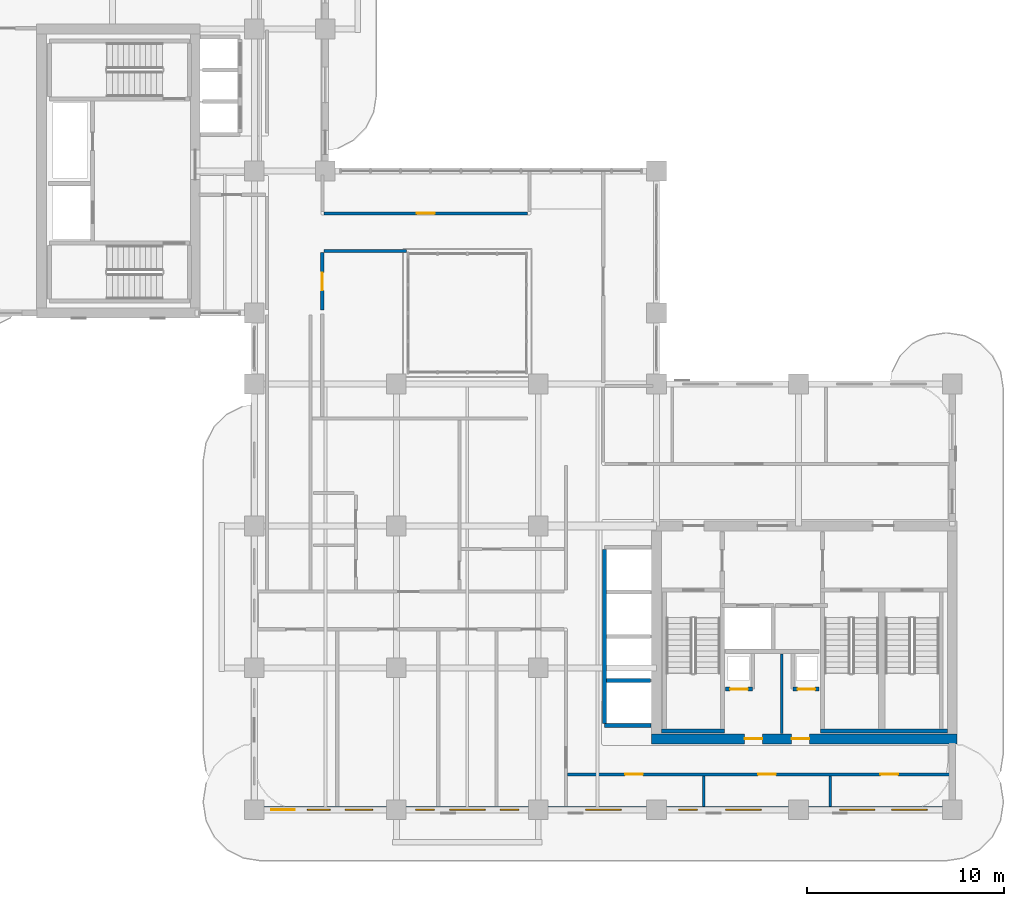
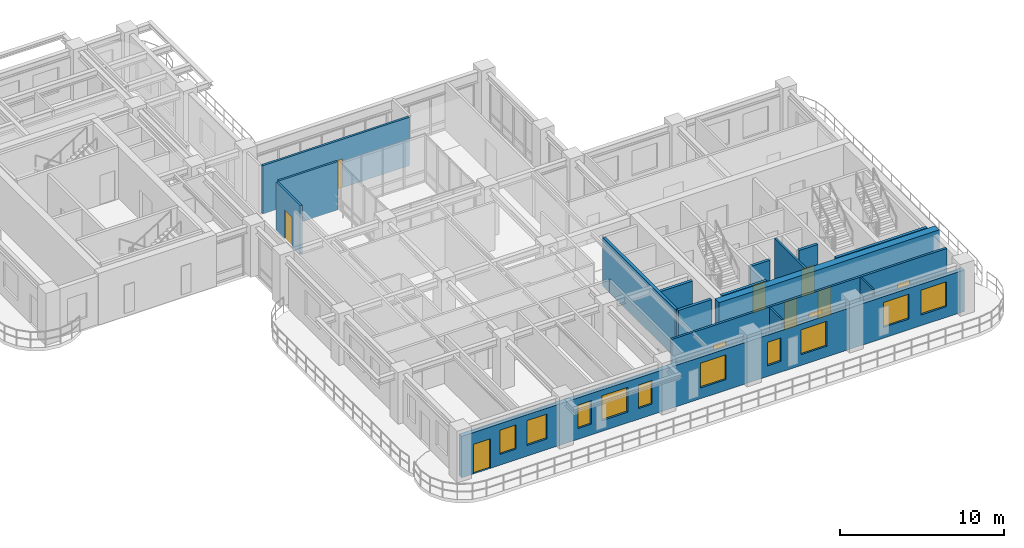
# One storey, part 12 of 20: 16 walls, 10 doors, 10 windows, 20 openings.
"""IFC4 building model written with IfcOpenShell, lengths in metres."""

from ifc_helpers import new_model, si_unit, derived_unit, direction, frame, frame_2d, origin, place, context, subcontext, project, spatial, rectangle, extrude, source, transform, mapped, material, layer, layer_set, type_object, type_shapes, element, fill, save


model = new_model("IFC4")

# Units and contexts
model_context = context("Model", 3, precision=1e-05, world=origin(), true_north=direction((0.0, 1.0)))
body_context = subcontext(model_context, "Body", "Model", "MODEL_VIEW")
ifc_project = project(units=[si_unit("LENGTHUNIT", "METRE"), si_unit("AREAUNIT", "SQUARE_METRE"), si_unit("VOLUMEUNIT", "CUBIC_METRE"), si_unit("PLANEANGLEUNIT", "RADIAN"), si_unit("MASSUNIT", "GRAM", prefix="KILO"), si_unit("THERMODYNAMICTEMPERATUREUNIT", "KELVIN"), si_unit("POWERUNIT", "WATT"), derived_unit("THERMALTRANSMITTANCEUNIT", [(si_unit("POWERUNIT", "WATT"), 1), (si_unit("AREAUNIT", "SQUARE_METRE"), -1), (si_unit("THERMODYNAMICTEMPERATUREUNIT", "KELVIN"), -1)])], contexts=[model_context])

# Site, building, storey
site_placement = place(None, origin())
site = spatial("IfcSite", under=ifc_project, at=site_placement, CompositionType="ELEMENT")
building_placement = place(site_placement, origin())
building = spatial("IfcBuilding", under=site, at=building_placement, Name="Zahravan Archway Hotel and Residences", CompositionType="ELEMENT")
storey_placement = place(building_placement, frame((0.0, 0.0, 161.85009765625)))
storey = spatial("IfcBuildingStorey", under=building, at=storey_placement, Name="L40", CompositionType="ELEMENT", Elevation=161.85009765625)

# Wall, openings, doors
ifc_material_1 = material(Name="Concrete C60/75", Category="concrete")
ifc_layer_1 = layer(ifc_material_1, 0.5, Name="Concrete C60/75", Category="concrete")
ifc_layer_set_1 = layer_set([ifc_layer_1], Name="Concrete C60/75")
wall_type_1 = type_object("IfcWallType", Name="CW-CORE-500", PredefinedType="SHEAR", material=ifc_layer_set_1)
wall_1_placement = place(storey_placement, frame((34.550048828125, 3.60009765625, 0.0), z_axis=(0.0, 0.0, 1.0), x_axis=(1.0, 0.0, 0.0)))
wall_1 = element("IfcWall", 1, at=wall_1_placement, inside=storey, type_object=wall_type_1, Name="L40 Core A Shear S Wall 500 mm", PredefinedType="SHEAR", context=body_context, shape_type="SweptSolid", body=[
    extrude(rectangle(XDim=15.5, YDim=0.5, at=frame_2d((7.75, 0.0))), origin(), (0.0, 0.0, 1.0), 3.849853515625),
])
opening_1_placement = place(wall_1_placement, frame((4.719970703125, 0.0, 0.0)))
opening_1 = element("IfcOpeningElement", 2, at=opening_1_placement, cuts=wall_1, Name="Opening FD-R1", PredefinedType="OPENING", context=body_context, shape_type="SweptSolid", body=[
    extrude(rectangle(XDim=0.89990234375, YDim=2.10009765625, at=frame_2d((0.449951171875, 1.050048828125))), frame((0.0, 0.260009765625, 0.0), z_axis=(0.0, -1.0, 0.0), x_axis=(1.0, 0.0, 0.0)), (0.0, 0.0, 1.0), 0.52001953125),
])
opening_2_placement = place(wall_1_placement, frame((7.10009765625, 0.0, 0.0)))
opening_2 = element("IfcOpeningElement", 3, at=opening_2_placement, cuts=wall_1, Name="Opening FD-R1", PredefinedType="OPENING", context=body_context, shape_type="SweptSolid", body=[
    extrude(rectangle(XDim=0.89990234375, YDim=2.10009765625, at=frame_2d((0.449951171875, 1.050048828125))), frame((0.0, 0.260009765625, 0.0), z_axis=(0.0, -1.0, 0.0), x_axis=(1.0, 0.0, 0.0)), (0.0, 0.0, 1.0), 0.52001953125),
])
ifc_material_2 = material(Name="Fire-Rated Painted Steel", Category="steel")
door_type_1 = type_object("IfcDoorType", Name="FD-RISER-900", OperationType="NOTDEFINED", PredefinedType="DOOR", material=ifc_material_2)
shared_shape_1 = source(origin(), body_context, "Body", "SweptSolid", [
    extrude(rectangle(XDim=0.89990234375, YDim=2.10009765625, at=frame_2d((0.449951171875, 1.050048828125))), frame((0.0, 0.02490234375, 0.0), z_axis=(0.0, -1.0, 0.0), x_axis=(1.0, 0.0, 0.0)), (0.0, 0.0, 1.0), 0.050048828125),
])
type_shapes(door_type_1, [shared_shape_1])
door_1_placement = place(opening_1_placement, origin())
door_1 = element("IfcDoor", 4, at=door_1_placement, inside=storey, type_object=door_type_1, Name="L40 Fan Room Door", OperationType="SINGLE_SWING_LEFT", OverallHeight=2.10009765625, OverallWidth=0.89990234375, PredefinedType="DOOR", context=body_context, shape_type="MappedRepresentation", body=[
    mapped(shared_shape_1, transform((0.0, 0.0, 0.0), scale=1.0)),
])
fill(opening_1, door_1)
door_2_placement = place(opening_2_placement, origin())
door_2 = element("IfcDoor", 5, at=door_2_placement, inside=storey, type_object=door_type_1, Name="L40 Sub-Meter Cupboard Door", OperationType="SINGLE_SWING_RIGHT", OverallHeight=2.10009765625, OverallWidth=0.89990234375, PredefinedType="DOOR", context=body_context, shape_type="MappedRepresentation", body=[
    mapped(shared_shape_1, transform((0.0, 0.0, 0.0), scale=1.0)),
])
fill(opening_2, door_2)

# Wall, openings, door, windows
ifc_material_3 = material(Name="Agra Buff Sandstone & Insulated Backup", Category="masonry")
ifc_layer_2 = layer(ifc_material_3, 0.320068359375, Name="Agra Buff Sandstone & Insulated Backup", Category="masonry")
ifc_layer_set_2 = layer_set([ifc_layer_2], Name="Agra Buff Sandstone & Insulated Backup")
wall_type_2 = type_object("IfcWallType", Name="EW-SAND-320", PredefinedType="SOLIDWALL", material=ifc_layer_set_2)
wall_2_placement = place(storey_placement, frame((14.39990234375, 0.0, 0.0), z_axis=(0.0, 0.0, 1.0), x_axis=(1.0, 0.0, 0.0)))
wall_2 = element("IfcWall", 6, at=wall_2_placement, inside=storey, type_object=wall_type_2, Name="L40 Exterior Sandstone Wall WA-S", PredefinedType="SOLIDWALL", context=body_context, shape_type="SweptSolid", body=[
    extrude(rectangle(XDim=35.400146484375, YDim=0.320068359375, at=frame_2d((17.7001953125, 0.0))), origin(), (0.0, 0.0, 1.0), 3.0849609375),
])
opening_3_placement = place(wall_2_placement, frame((0.85009765625, 0.0, 0.0)))
opening_3 = element("IfcOpeningElement", 7, at=opening_3_placement, cuts=wall_2, Name="Opening ED-BL1", PredefinedType="OPENING", context=body_context, shape_type="SweptSolid", body=[
    extrude(rectangle(XDim=1.199951171875, YDim=2.199951171875, at=frame_2d((0.60009765625, 1.10009765625))), frame((0.0, 0.169921875, 0.0), z_axis=(0.0, -1.0, 0.0), x_axis=(1.0, 0.0, 0.0)), (0.0, 0.0, 1.0), 0.340087890625),
])
opening_4_placement = place(wall_2_placement, frame((2.696044921875, 0.0, 0.800048828125)))
opening_4 = element("IfcOpeningElement", 8, at=opening_4_placement, cuts=wall_2, Name="Opening W-05", PredefinedType="OPENING", context=body_context, shape_type="SweptSolid", body=[
    extrude(rectangle(XDim=1.14990234375, YDim=1.800048828125, at=frame_2d((0.574951171875, 0.89990234375))), frame((0.0, 0.169921875, 0.0), z_axis=(0.0, -1.0, 0.0), x_axis=(1.0, 0.0, 0.0)), (0.0, 0.0, 1.0), 0.340087890625),
])
opening_5_placement = place(wall_2_placement, frame((4.60400390625, 0.0, 0.800048828125)))
opening_5 = element("IfcOpeningElement", 9, at=opening_5_placement, cuts=wall_2, Name="Opening W-03", PredefinedType="OPENING", context=body_context, shape_type="SweptSolid", body=[
    extrude(rectangle(XDim=1.39990234375, YDim=1.85009765625, at=frame_2d((0.699951171875, 0.925048828125))), frame((0.0, 0.169921875, 0.0), z_axis=(0.0, -1.0, 0.0), x_axis=(1.0, 0.0, 0.0)), (0.0, 0.0, 1.0), 0.340087890625),
])
opening_6_placement = place(wall_2_placement, frame((8.180908203125, 0.0, 0.800048828125)))
opening_6 = element("IfcOpeningElement", 10, at=opening_6_placement, cuts=wall_2, Name="Opening W-04", PredefinedType="OPENING", context=body_context, shape_type="SweptSolid", body=[
    extrude(rectangle(XDim=0.949951171875, YDim=1.75, at=frame_2d((0.47509765625, 0.875))), frame((0.0, 0.169921875, 0.0), z_axis=(0.0, -1.0, 0.0), x_axis=(1.0, 0.0, 0.0)), (0.0, 0.0, 1.0), 0.340087890625),
])
opening_7_placement = place(wall_2_placement, frame((9.89990234375, 0.0, 0.800048828125)))
opening_7 = element("IfcOpeningElement", 11, at=opening_7_placement, cuts=wall_2, Name="Opening W-02", PredefinedType="OPENING", context=body_context, shape_type="SweptSolid", body=[
    extrude(rectangle(XDim=1.800048828125, YDim=1.85009765625, at=frame_2d((0.89990234375, 0.925048828125))), frame((0.0, 0.169921875, 0.0), z_axis=(0.0, -1.0, 0.0), x_axis=(1.0, 0.0, 0.0)), (0.0, 0.0, 1.0), 0.340087890625),
])
opening_8_placement = place(wall_2_placement, frame((12.468994140625, 0.0, 0.800048828125)))
opening_8 = element("IfcOpeningElement", 12, at=opening_8_placement, cuts=wall_2, Name="Opening W-04", PredefinedType="OPENING", context=body_context, shape_type="SweptSolid", body=[
    extrude(rectangle(XDim=0.949951171875, YDim=1.75, at=frame_2d((0.47509765625, 0.875))), frame((0.0, 0.169921875, 0.0), z_axis=(0.0, -1.0, 0.0), x_axis=(1.0, 0.0, 0.0)), (0.0, 0.0, 1.0), 0.340087890625),
])
opening_9_placement = place(wall_2_placement, frame((16.803955078125, 0.0, 0.800048828125)))
opening_9 = element("IfcOpeningElement", 13, at=opening_9_placement, cuts=wall_2, Name="Opening W-02", PredefinedType="OPENING", context=body_context, shape_type="SweptSolid", body=[
    extrude(rectangle(XDim=1.800048828125, YDim=1.85009765625, at=frame_2d((0.89990234375, 0.925048828125))), frame((0.0, 0.169921875, 0.0), z_axis=(0.0, -1.0, 0.0), x_axis=(1.0, 0.0, 0.0)), (0.0, 0.0, 1.0), 0.340087890625),
])
opening_10_placement = place(wall_2_placement, frame((21.52099609375, 0.0, 0.800048828125)))
opening_10 = element("IfcOpeningElement", 14, at=opening_10_placement, cuts=wall_2, Name="Opening W-04", PredefinedType="OPENING", context=body_context, shape_type="SweptSolid", body=[
    extrude(rectangle(XDim=0.949951171875, YDim=1.75, at=frame_2d((0.47509765625, 0.875))), frame((0.0, 0.169921875, 0.0), z_axis=(0.0, -1.0, 0.0), x_axis=(1.0, 0.0, 0.0)), (0.0, 0.0, 1.0), 0.340087890625),
])
opening_11_placement = place(wall_2_placement, frame((23.904052734375, 0.0, 0.800048828125)))
opening_11 = element("IfcOpeningElement", 15, at=opening_11_placement, cuts=wall_2, Name="Opening W-02", PredefinedType="OPENING", context=body_context, shape_type="SweptSolid", body=[
    extrude(rectangle(XDim=1.800048828125, YDim=1.85009765625, at=frame_2d((0.89990234375, 0.925048828125))), frame((0.0, 0.169921875, 0.0), z_axis=(0.0, -1.0, 0.0), x_axis=(1.0, 0.0, 0.0)), (0.0, 0.0, 1.0), 0.340087890625),
])
opening_12_placement = place(wall_2_placement, frame((29.680908203125, 0.0, 0.800048828125)))
opening_12 = element("IfcOpeningElement", 16, at=opening_12_placement, cuts=wall_2, Name="Opening W-02", PredefinedType="OPENING", context=body_context, shape_type="SweptSolid", body=[
    extrude(rectangle(XDim=1.800048828125, YDim=1.85009765625, at=frame_2d((0.89990234375, 0.925048828125))), frame((0.0, 0.169921875, 0.0), z_axis=(0.0, -1.0, 0.0), x_axis=(1.0, 0.0, 0.0)), (0.0, 0.0, 1.0), 0.340087890625),
])
opening_13_placement = place(wall_2_placement, frame((32.326904296875, 0.0, 0.800048828125)))
opening_13 = element("IfcOpeningElement", 17, at=opening_13_placement, cuts=wall_2, Name="Opening W-02", PredefinedType="OPENING", context=body_context, shape_type="SweptSolid", body=[
    extrude(rectangle(XDim=1.800048828125, YDim=1.85009765625, at=frame_2d((0.89990234375, 0.925048828125))), frame((0.0, 0.169921875, 0.0), z_axis=(0.0, -1.0, 0.0), x_axis=(1.0, 0.0, 0.0)), (0.0, 0.0, 1.0), 0.340087890625),
])
ifc_material_4 = material(Name="Bronze-Anodized Glazed Aluminium", Category="aluminium")
door_type_2 = type_object("IfcDoorType", Name="ED-BALC-1200", OperationType="SLIDING_TO_LEFT", PredefinedType="DOOR", material=ifc_material_4)
shared_shape_2 = source(origin(), body_context, "Body", "SweptSolid", [
    extrude(rectangle(XDim=1.199951171875, YDim=2.199951171875, at=frame_2d((0.60009765625, 1.10009765625))), frame((0.0, 0.02490234375, 0.0), z_axis=(0.0, -1.0, 0.0), x_axis=(1.0, 0.0, 0.0)), (0.0, 0.0, 1.0), 0.050048828125),
])
type_shapes(door_type_2, [shared_shape_2])
door_3_placement = place(opening_3_placement, origin())
door_3 = element("IfcDoor", 18, at=door_3_placement, inside=storey, type_object=door_type_2, Name="L40 Outdoor Access Sliding Door (SLB-BAL-L40-SA)", OperationType="SLIDING_TO_LEFT", OverallHeight=2.199951171875, OverallWidth=1.199951171875, PredefinedType="DOOR", context=body_context, shape_type="MappedRepresentation", body=[
    mapped(shared_shape_2, transform((0.0, 0.0, 0.0), scale=1.0)),
])
fill(opening_3, door_3)
ifc_material_5 = material(Name="Bronze-Anodized Thermal-Break Aluminium & Low-E Glass", Category="aluminium")
window_type_1 = type_object("IfcWindowType", Name="WIN-TWR-1400", PartitioningType="SINGLE_PANEL", PredefinedType="WINDOW", material=ifc_material_5)
shared_shape_3 = source(origin(), body_context, "Body", "SweptSolid", [
    extrude(rectangle(XDim=1.39990234375, YDim=1.85009765625, at=frame_2d((0.699951171875, 0.925048828125))), frame((0.0, 0.030029296875, 0.0), z_axis=(0.0, -1.0, 0.0), x_axis=(1.0, 0.0, 0.0)), (0.0, 0.0, 1.0), 0.06005859375),
])
type_shapes(window_type_1, [shared_shape_3])
window_1_placement = place(opening_5_placement, origin())
window_1 = element("IfcWindow", 19, at=window_1_placement, inside=storey, type_object=window_type_1, Name="L40 Loggia Window 02", OverallHeight=1.85009765625, OverallWidth=1.39990234375, PartitioningType="SINGLE_PANEL", PredefinedType="WINDOW", context=body_context, shape_type="MappedRepresentation", body=[
    mapped(shared_shape_3, transform((0.0, 0.0, 0.0), scale=1.0)),
])
fill(opening_5, window_1)
window_type_2 = type_object("IfcWindowType", Name="WIN-NAR-950", PartitioningType="SINGLE_PANEL", PredefinedType="WINDOW", material=ifc_material_5)
shared_shape_4 = source(origin(), body_context, "Body", "SweptSolid", [
    extrude(rectangle(XDim=0.949951171875, YDim=1.75, at=frame_2d((0.47509765625, 0.875))), frame((0.0, 0.030029296875, 0.0), z_axis=(0.0, -1.0, 0.0), x_axis=(1.0, 0.0, 0.0)), (0.0, 0.0, 1.0), 0.06005859375),
])
type_shapes(window_type_2, [shared_shape_4])
window_2_placement = place(opening_6_placement, origin())
window_2 = element("IfcWindow", 20, at=window_2_placement, inside=storey, type_object=window_type_2, Name="L40 Loggia Window 03", OverallHeight=1.75, OverallWidth=0.949951171875, PartitioningType="SINGLE_PANEL", PredefinedType="WINDOW", context=body_context, shape_type="MappedRepresentation", body=[
    mapped(shared_shape_4, transform((0.0, 0.0, 0.0), scale=1.0)),
])
fill(opening_6, window_2)
window_3_placement = place(opening_8_placement, origin())
window_3 = element("IfcWindow", 21, at=window_3_placement, inside=storey, type_object=window_type_2, Name="L40 Loggia Window 05", OverallHeight=1.75, OverallWidth=0.949951171875, PartitioningType="SINGLE_PANEL", PredefinedType="WINDOW", context=body_context, shape_type="MappedRepresentation", body=[
    mapped(shared_shape_4, transform((0.0, 0.0, 0.0), scale=1.0)),
])
fill(opening_8, window_3)
window_4_placement = place(opening_10_placement, origin())
window_4 = element("IfcWindow", 22, at=window_4_placement, inside=storey, type_object=window_type_2, Name="L40 Loggia Window 07", OverallHeight=1.75, OverallWidth=0.949951171875, PartitioningType="SINGLE_PANEL", PredefinedType="WINDOW", context=body_context, shape_type="MappedRepresentation", body=[
    mapped(shared_shape_4, transform((0.0, 0.0, 0.0), scale=1.0)),
])
fill(opening_10, window_4)
window_type_3 = type_object("IfcWindowType", Name="WIN-TWR-1800", PartitioningType="DOUBLE_PANEL_VERTICAL", PredefinedType="WINDOW", material=ifc_material_5)
shared_shape_5 = source(origin(), body_context, "Body", "SweptSolid", [
    extrude(rectangle(XDim=1.800048828125, YDim=1.85009765625, at=frame_2d((0.89990234375, 0.925048828125))), frame((0.0, 0.030029296875, 0.0), z_axis=(0.0, -1.0, 0.0), x_axis=(1.0, 0.0, 0.0)), (0.0, 0.0, 1.0), 0.06005859375),
])
type_shapes(window_type_3, [shared_shape_5])
window_5_placement = place(opening_7_placement, origin())
window_5 = element("IfcWindow", 23, at=window_5_placement, inside=storey, type_object=window_type_3, Name="L40 Loggia Window 04", OverallHeight=1.85009765625, OverallWidth=1.800048828125, PartitioningType="DOUBLE_PANEL_VERTICAL", PredefinedType="WINDOW", context=body_context, shape_type="MappedRepresentation", body=[
    mapped(shared_shape_5, transform((0.0, 0.0, 0.0), scale=1.0)),
])
fill(opening_7, window_5)
window_6_placement = place(opening_9_placement, origin())
window_6 = element("IfcWindow", 24, at=window_6_placement, inside=storey, type_object=window_type_3, Name="L40 Loggia Window 06", OverallHeight=1.85009765625, OverallWidth=1.800048828125, PartitioningType="DOUBLE_PANEL_VERTICAL", PredefinedType="WINDOW", context=body_context, shape_type="MappedRepresentation", body=[
    mapped(shared_shape_5, transform((0.0, 0.0, 0.0), scale=1.0)),
])
fill(opening_9, window_6)
window_7_placement = place(opening_11_placement, origin())
window_7 = element("IfcWindow", 25, at=window_7_placement, inside=storey, type_object=window_type_3, Name="L40 Loggia Window 08", OverallHeight=1.85009765625, OverallWidth=1.800048828125, PartitioningType="DOUBLE_PANEL_VERTICAL", PredefinedType="WINDOW", context=body_context, shape_type="MappedRepresentation", body=[
    mapped(shared_shape_5, transform((0.0, 0.0, 0.0), scale=1.0)),
])
fill(opening_11, window_7)
window_8_placement = place(opening_12_placement, origin())
window_8 = element("IfcWindow", 26, at=window_8_placement, inside=storey, type_object=window_type_3, Name="L40 Loggia Window 09", OverallHeight=1.85009765625, OverallWidth=1.800048828125, PartitioningType="DOUBLE_PANEL_VERTICAL", PredefinedType="WINDOW", context=body_context, shape_type="MappedRepresentation", body=[
    mapped(shared_shape_5, transform((0.0, 0.0, 0.0), scale=1.0)),
])
fill(opening_12, window_8)
window_9_placement = place(opening_13_placement, origin())
window_9 = element("IfcWindow", 27, at=window_9_placement, inside=storey, type_object=window_type_3, Name="L40 Loggia Window 10", OverallHeight=1.85009765625, OverallWidth=1.800048828125, PartitioningType="DOUBLE_PANEL_VERTICAL", PredefinedType="WINDOW", context=body_context, shape_type="MappedRepresentation", body=[
    mapped(shared_shape_5, transform((0.0, 0.0, 0.0), scale=1.0)),
])
fill(opening_13, window_9)
window_type_4 = type_object("IfcWindowType", Name="WIN-TWR-1150", PartitioningType="SINGLE_PANEL", PredefinedType="WINDOW", material=ifc_material_5)
shared_shape_6 = source(origin(), body_context, "Body", "SweptSolid", [
    extrude(rectangle(XDim=1.14990234375, YDim=1.800048828125, at=frame_2d((0.574951171875, 0.89990234375))), frame((0.0, 0.030029296875, 0.0), z_axis=(0.0, -1.0, 0.0), x_axis=(1.0, 0.0, 0.0)), (0.0, 0.0, 1.0), 0.06005859375),
])
type_shapes(window_type_4, [shared_shape_6])
window_10_placement = place(opening_4_placement, origin())
window_10 = element("IfcWindow", 28, at=window_10_placement, inside=storey, type_object=window_type_4, Name="L40 Loggia Window 01", OverallHeight=1.800048828125, OverallWidth=1.14990234375, PartitioningType="SINGLE_PANEL", PredefinedType="WINDOW", context=body_context, shape_type="MappedRepresentation", body=[
    mapped(shared_shape_6, transform((0.0, 0.0, 0.0), scale=1.0)),
])
fill(opening_4, window_10)

# Wall, openings, doors
ifc_material_6 = material(Name="Fire-Rated Gypsum & Concrete Block", Category="concrete")
ifc_layer_3 = layer(ifc_material_6, 0.159912109375, Name="Fire-Rated Gypsum & Concrete Block", Category="concrete")
ifc_layer_set_3 = layer_set([ifc_layer_3], Name="Fire-Rated Gypsum & Concrete Block")
wall_type_3 = type_object("IfcWallType", Name="PW-CORR-160", PredefinedType="PARTITIONING", material=ifc_layer_set_3)
wall_3_placement = place(storey_placement, frame((30.2900390625, 1.800048828125, 0.0), z_axis=(0.0, 0.0, 1.0), x_axis=(1.0, 0.0, 0.0)))
wall_3 = element("IfcWall", 29, at=wall_3_placement, inside=storey, type_object=wall_type_3, Name="L40 Partition WA-SRS", PredefinedType="PARTITIONING", context=body_context, shape_type="SweptSolid", body=[
    extrude(rectangle(XDim=19.369873046875, YDim=0.159912109375, at=frame_2d((9.68505859375, 0.0))), origin(), (0.0, 0.0, 1.0), 3.599853515625),
])
opening_14_placement = place(wall_3_placement, frame((2.916259765625, 0.0, 0.0)))
opening_14 = element("IfcOpeningElement", 30, at=opening_14_placement, cuts=wall_3, Name="Opening D-I2", PredefinedType="OPENING", context=body_context, shape_type="SweptSolid", body=[
    extrude(rectangle(XDim=0.89990234375, YDim=2.14990234375, at=frame_2d((0.449951171875, 1.074951171875))), frame((0.0, 0.08984375, 0.0), z_axis=(0.0, -1.0, 0.0), x_axis=(1.0, 0.0, 0.0)), (0.0, 0.0, 1.0), 0.179931640625),
])
opening_15_placement = place(wall_3_placement, frame((9.659912109375, 0.0, 0.0)))
opening_15 = element("IfcOpeningElement", 31, at=opening_15_placement, cuts=wall_3, Name="Opening D-I2", PredefinedType="OPENING", context=body_context, shape_type="SweptSolid", body=[
    extrude(rectangle(XDim=0.89990234375, YDim=2.14990234375, at=frame_2d((0.449951171875, 1.074951171875))), frame((0.0, 0.08984375, 0.0), z_axis=(0.0, -1.0, 0.0), x_axis=(1.0, 0.0, 0.0)), (0.0, 0.0, 1.0), 0.179931640625),
])
opening_16_placement = place(wall_3_placement, frame((15.860107421875, 0.0, 0.0)))
opening_16 = element("IfcOpeningElement", 32, at=opening_16_placement, cuts=wall_3, Name="Opening D-I2", PredefinedType="OPENING", context=body_context, shape_type="SweptSolid", body=[
    extrude(rectangle(XDim=0.89990234375, YDim=2.14990234375, at=frame_2d((0.449951171875, 1.074951171875))), frame((0.0, 0.08984375, 0.0), z_axis=(0.0, -1.0, 0.0), x_axis=(1.0, 0.0, 0.0)), (0.0, 0.0, 1.0), 0.179931640625),
])
ifc_material_7 = material(Name="Hardwood Veneer Timber", Category="wood")
door_type_3 = type_object("IfcDoorType", Name="ID-INT-900", OperationType="NOTDEFINED", PredefinedType="DOOR", material=ifc_material_7)
shared_shape_7 = source(origin(), body_context, "Body", "SweptSolid", [
    extrude(rectangle(XDim=0.89990234375, YDim=2.14990234375, at=frame_2d((0.449951171875, 1.074951171875))), frame((0.0, 0.02490234375, 0.0), z_axis=(0.0, -1.0, 0.0), x_axis=(1.0, 0.0, 0.0)), (0.0, 0.0, 1.0), 0.050048828125),
])
type_shapes(door_type_3, [shared_shape_7])
door_4_placement = place(opening_14_placement, origin())
door_4 = element("IfcDoor", 33, at=door_4_placement, inside=storey, type_object=door_type_3, Name="L40 South Office Door", OperationType="SINGLE_SWING_LEFT", OverallHeight=2.14990234375, OverallWidth=0.89990234375, PredefinedType="DOOR", context=body_context, shape_type="MappedRepresentation", body=[
    mapped(shared_shape_7, transform((0.0, 0.0, 0.0), scale=1.0)),
])
fill(opening_14, door_4)
door_5_placement = place(opening_15_placement, origin())
door_5 = element("IfcDoor", 34, at=door_5_placement, inside=storey, type_object=door_type_3, Name="L40 South Meeting Door", OperationType="SINGLE_SWING_RIGHT", OverallHeight=2.14990234375, OverallWidth=0.89990234375, PredefinedType="DOOR", context=body_context, shape_type="MappedRepresentation", body=[
    mapped(shared_shape_7, transform((0.0, 0.0, 0.0), scale=1.0)),
])
fill(opening_15, door_5)
door_6_placement = place(opening_16_placement, origin())
door_6 = element("IfcDoor", 35, at=door_6_placement, inside=storey, type_object=door_type_3, Name="L40 South Prayer Alcove Door", OperationType="SINGLE_SWING_LEFT", OverallHeight=2.14990234375, OverallWidth=0.89990234375, PredefinedType="DOOR", context=body_context, shape_type="MappedRepresentation", body=[
    mapped(shared_shape_7, transform((0.0, 0.0, 0.0), scale=1.0)),
])
fill(opening_16, door_6)

# Wall
wall_4_placement = place(storey_placement, frame((17.93994140625, 28.35009765625, 0.0), z_axis=(0.0, 0.0, 1.0), x_axis=(1.0, 0.0, 0.0)))
element("IfcWall", 36, at=wall_4_placement, inside=storey, type_object=wall_type_3, Name="L40 Partition ATR-NW2S", PredefinedType="PARTITIONING", context=body_context, shape_type="SweptSolid", body=[
    extrude(rectangle(XDim=4.170166015625, YDim=0.159912109375, at=frame_2d((2.0849609375, 0.0))), origin(), (0.0, 0.0, 1.0), 3.599853515625),
])

# Wall, opening, door
wall_5_placement = place(storey_placement, frame((17.93994140625, 30.25, 0.0), z_axis=(0.0, 0.0, 1.0), x_axis=(1.0, 0.0, 0.0)))
wall_5 = element("IfcWall", 37, at=wall_5_placement, inside=storey, type_object=wall_type_3, Name="L40 Partition ATR-NW2N", PredefinedType="PARTITIONING", context=body_context, shape_type="SweptSolid", body=[
    extrude(rectangle(XDim=10.320068359375, YDim=0.159912109375, at=frame_2d((5.16015625, 0.0))), origin(), (0.0, 0.0, 1.0), 3.599853515625),
])
opening_17_placement = place(wall_5_placement, frame((4.7099609375, 0.0, 0.0)))
opening_17 = element("IfcOpeningElement", 38, at=opening_17_placement, cuts=wall_5, Name="Opening D-I2", PredefinedType="OPENING", context=body_context, shape_type="SweptSolid", body=[
    extrude(rectangle(XDim=0.89990234375, YDim=2.14990234375, at=frame_2d((0.449951171875, 1.074951171875))), frame((0.0, 0.08984375, 0.0), z_axis=(0.0, -1.0, 0.0), x_axis=(1.0, 0.0, 0.0)), (0.0, 0.0, 1.0), 0.179931640625),
])
door_7_placement = place(opening_17_placement, origin())
door_7 = element("IfcDoor", 39, at=door_7_placement, inside=storey, type_object=door_type_3, Name="L40 Atrium North Seminar Door", OperationType="SINGLE_SWING_RIGHT", OverallHeight=2.14990234375, OverallWidth=0.89990234375, PredefinedType="DOOR", context=body_context, shape_type="MappedRepresentation", body=[
    mapped(shared_shape_7, transform((0.0, 0.0, 0.0), scale=1.0)),
])
fill(opening_17, door_7)

# Walls
ifc_material_8 = material(Name="Acoustic Stud Partition")
ifc_layer_4 = layer(ifc_material_8, 0.125, Name="Acoustic Stud Partition")
ifc_layer_set_4 = layer_set([ifc_layer_4], Name="Acoustic Stud Partition")
wall_type_4 = type_object("IfcWallType", Name="PW-INT-125", PredefinedType="PARTITIONING", material=ifc_layer_set_4)
for number, where, z_axis, x_axis, name in (
    (40, (37.199951171875, 0.16796875, 0.0), (0.0, 0.0, 1.0), (0.0, 1.0, 0.0), "L40 Partition S-DIV2A"),
    (41, (43.60009765625, 0.16796875, 0.0), (0.0, 0.0, 1.0), (0.0, 1.0, 0.0), "L40 Partition S-DIV2B"),
):
    element("IfcWall", number, at=place(storey_placement, frame(where, z_axis=z_axis, x_axis=x_axis)), inside=storey, type_object=wall_type_4, Name=name, PredefinedType="PARTITIONING", context=body_context, shape_type="SweptSolid", body=[
        extrude(rectangle(XDim=1.5419921875, YDim=0.125, at=frame_2d((0.77099609375, 0.0))), origin(), (0.0, 0.0, 1.0), 3.599853515625),
    ])

# Wall, opening, door
ifc_layer_5 = layer(ifc_material_6, 0.199951171875, Name="Fire-Rated Gypsum & Concrete Block", Category="concrete")
ifc_layer_set_5 = layer_set([ifc_layer_5], Name="Fire-Rated Gypsum & Concrete Block")
wall_type_5 = type_object("IfcWallType", Name="PW-SHAFT-200", PredefinedType="PARTITIONING", material=ifc_layer_set_5)
wall_6_placement = place(storey_placement, frame((38.2900390625, 6.1201171875, 0.0), z_axis=(0.0, 0.0, 1.0), x_axis=(1.0, 0.0, 0.0)))
wall_6 = element("IfcWall", 42, at=wall_6_placement, inside=storey, type_object=wall_type_5, Name="L40 Partition CA-SMKS", PredefinedType="PARTITIONING", context=body_context, shape_type="SweptSolid", body=[
    extrude(rectangle(XDim=1.3798828125, YDim=0.199951171875, at=frame_2d((0.68994140625, 0.0))), origin(), (0.0, 0.0, 1.0), 3.599853515625),
])
opening_18_placement = place(wall_6_placement, frame((0.239990234375, 0.0, 0.0)))
opening_18 = element("IfcOpeningElement", 43, at=opening_18_placement, cuts=wall_6, Name="Opening FD-R1", PredefinedType="OPENING", context=body_context, shape_type="SweptSolid", body=[
    extrude(rectangle(XDim=0.89990234375, YDim=2.10009765625, at=frame_2d((0.449951171875, 1.050048828125))), frame((0.0, 0.10986328125, 0.0), z_axis=(0.0, -1.0, 0.0), x_axis=(1.0, 0.0, 0.0)), (0.0, 0.0, 1.0), 0.219970703125),
])
door_8_placement = place(opening_18_placement, origin())
door_8 = element("IfcDoor", 44, at=door_8_placement, inside=storey, type_object=door_type_1, Name="L40 Smoke Riser Access Door", OperationType="SINGLE_SWING_LEFT", OverallHeight=2.10009765625, OverallWidth=0.89990234375, PredefinedType="DOOR", context=body_context, shape_type="MappedRepresentation", body=[
    mapped(shared_shape_1, transform((0.0, 0.0, 0.0), scale=1.0)),
])
fill(opening_18, door_8)

wall_7_placement = place(storey_placement, frame((41.72998046875, 6.1201171875, 0.0), z_axis=(0.0, 0.0, 1.0), x_axis=(1.0, 0.0, 0.0)))
wall_7 = element("IfcWall", 45, at=wall_7_placement, inside=storey, type_object=wall_type_5, Name="L40 Partition CA-MEPS", PredefinedType="PARTITIONING", context=body_context, shape_type="SweptSolid", body=[
    extrude(rectangle(XDim=1.320068359375, YDim=0.199951171875, at=frame_2d((0.66015625, 0.0))), origin(), (0.0, 0.0, 1.0), 3.599853515625),
])
opening_19_placement = place(wall_7_placement, frame((0.219970703125, 0.0, 0.0)))
opening_19 = element("IfcOpeningElement", 46, at=opening_19_placement, cuts=wall_7, Name="Opening FD-R1", PredefinedType="OPENING", context=body_context, shape_type="SweptSolid", body=[
    extrude(rectangle(XDim=0.89990234375, YDim=2.10009765625, at=frame_2d((0.449951171875, 1.050048828125))), frame((0.0, 0.10986328125, 0.0), z_axis=(0.0, -1.0, 0.0), x_axis=(1.0, 0.0, 0.0)), (0.0, 0.0, 1.0), 0.219970703125),
])
door_9_placement = place(opening_19_placement, origin())
door_9 = element("IfcDoor", 47, at=door_9_placement, inside=storey, type_object=door_type_1, Name="L40 MEP Riser Access Door", OperationType="SINGLE_SWING_RIGHT", OverallHeight=2.10009765625, OverallWidth=0.89990234375, PredefinedType="DOOR", context=body_context, shape_type="MappedRepresentation", body=[
    mapped(shared_shape_1, transform((0.0, 0.0, 0.0), scale=1.0)),
])
fill(opening_19, door_9)

# Walls
wall_8_placement = place(storey_placement, frame((32.159912109375, 4.280029296875, 0.0), z_axis=(0.0, 0.0, 1.0), x_axis=(1.0, 0.0, 0.0)))
element("IfcWall", 48, at=wall_8_placement, inside=storey, type_object=wall_type_5, Name="L40 Partition B3-S", PredefinedType="PARTITIONING", context=body_context, shape_type="SweptSolid", body=[
    extrude(rectangle(XDim=2.360107421875, YDim=0.199951171875, at=frame_2d((1.18017578125, 0.0))), origin(), (0.0, 0.0, 1.0), 3.599853515625),
])
wall_9_placement = place(storey_placement, frame((32.14990234375, 4.389892578125, 0.0), z_axis=(0.0, 0.0, 1.0), x_axis=(0.0, 1.0, 0.0)))
element("IfcWall", 49, at=wall_9_placement, inside=storey, type_object=wall_type_5, Name="L40 Partition B3-W", PredefinedType="PARTITIONING", context=body_context, shape_type="SweptSolid", body=[
    extrude(rectangle(XDim=8.820068359375, YDim=0.199951171875, at=frame_2d((4.41015625, 0.0))), origin(), (0.0, 0.0, 1.0), 3.599853515625),
])
wall_10_placement = place(storey_placement, frame((32.260009765625, 6.56005859375, 0.0), z_axis=(0.0, 0.0, 1.0), x_axis=(1.0, 0.0, 0.0)))
element("IfcWall", 50, at=wall_10_placement, inside=storey, type_object=wall_type_5, Name="L40 Partition B3-D", PredefinedType="PARTITIONING", context=body_context, shape_type="SweptSolid", body=[
    extrude(rectangle(XDim=2.22998046875, YDim=0.199951171875, at=frame_2d((1.114990234375, 0.0))), origin(), (0.0, 0.0, 1.0), 3.599853515625),
])

# Wall, opening, door
ifc_layer_6 = layer(ifc_material_8, 0.169921875, Name="Acoustic Stud Partition")
ifc_layer_set_6 = layer_set([ifc_layer_6], Name="Acoustic Stud Partition")
wall_type_6 = type_object("IfcWallType", Name="PW-UNIT-170", PredefinedType="PARTITIONING", material=ifc_layer_set_6)
wall_11_placement = place(storey_placement, frame((17.85009765625, 25.340087890625, 0.0), z_axis=(0.0, 0.0, 1.0), x_axis=(0.0, 1.0, 0.0)))
wall_11 = element("IfcWall", 51, at=wall_11_placement, inside=storey, type_object=wall_type_6, Name="L40 Partition ATR-W2", PredefinedType="PARTITIONING", context=body_context, shape_type="SweptSolid", body=[
    extrude(rectangle(XDim=2.919921875, YDim=0.169921875, at=frame_2d((1.4599609375, 0.0))), origin(), (0.0, 0.0, 1.0), 3.599853515625),
])
opening_20_placement = place(wall_11_placement, frame((1.010009765625, 0.0, 0.0)))
opening_20 = element("IfcOpeningElement", 52, at=opening_20_placement, cuts=wall_11, Name="Opening D-I2", PredefinedType="OPENING", context=body_context, shape_type="SweptSolid", body=[
    extrude(rectangle(XDim=0.89990234375, YDim=2.14990234375, at=frame_2d((0.449951171875, 1.074951171875))), frame((0.0, 0.094970703125, 0.0), z_axis=(0.0, -1.0, 0.0), x_axis=(1.0, 0.0, 0.0)), (0.0, 0.0, 1.0), 0.18994140625),
])
door_10_placement = place(opening_20_placement, origin())
door_10 = element("IfcDoor", 53, at=door_10_placement, inside=storey, type_object=door_type_3, Name="L40 Atrium West Focus Room Door", OperationType="SINGLE_SWING_LEFT", OverallHeight=2.14990234375, OverallWidth=0.89990234375, PredefinedType="DOOR", context=body_context, shape_type="MappedRepresentation", body=[
    mapped(shared_shape_7, transform((0.0, 0.0, 0.0), scale=1.0)),
])
fill(opening_20, door_10)

# Walls
ifc_material_9 = material(Name="Moisture-Resistant Blockwork", Category="masonry")
ifc_layer_7 = layer(ifc_material_9, 0.139892578125, Name="Moisture-Resistant Blockwork", Category="masonry")
ifc_layer_set_7 = layer_set([ifc_layer_7], Name="Moisture-Resistant Blockwork")
wall_type_7 = type_object("IfcWallType", Name="PW-WET-140", PredefinedType="PARTITIONING", material=ifc_layer_set_7)
wall_12_placement = place(storey_placement, frame((41.14990234375, 3.8701171875, 0.0), z_axis=(0.0, 0.0, 1.0), x_axis=(0.0, 1.0, 0.0)))
element("IfcWall", 54, at=wall_12_placement, inside=storey, type_object=wall_type_7, Name="L40 Partition CA-CV2V", PredefinedType="PARTITIONING", context=body_context, shape_type="SweptSolid", body=[
    extrude(rectangle(XDim=4.039794921875, YDim=0.139892578125, at=frame_2d((2.02001953125, 0.0))), origin(), (0.0, 0.0, 1.0), 3.599853515625),
])
ifc_material_10 = material(Name="Concrete C50/60", Category="concrete")
ifc_layer_8 = layer(ifc_material_10, 0.199951171875, Name="Concrete C50/60", Category="concrete")
ifc_layer_set_8 = layer_set([ifc_layer_8], Name="Concrete C50/60")
wall_type_8 = type_object("IfcWallType", Name="SW-STAIR-200", PredefinedType="SHEAR", material=ifc_layer_set_8)
wall_13_placement = place(storey_placement, frame((35.050048828125, 4.0, 0.0), z_axis=(0.0, 0.0, 1.0), x_axis=(1.0, 0.0, 0.0)))
element("IfcWall", 55, at=wall_13_placement, inside=storey, type_object=wall_type_8, Name="L40 Stairwell RC Wall CA-SA1S", PredefinedType="SHEAR", context=body_context, shape_type="SweptSolid", body=[
    extrude(rectangle(XDim=3.18994140625, YDim=0.199951171875, at=frame_2d((1.594970703125, 0.0))), origin(), (0.0, 0.0, 1.0), 3.849853515625),
])
wall_14_placement = place(storey_placement, frame((43.1201171875, 4.0, 0.0), z_axis=(0.0, 0.0, 1.0), x_axis=(1.0, 0.0, 0.0)))
element("IfcWall", 56, at=wall_14_placement, inside=storey, type_object=wall_type_8, Name="L40 Stairwell RC Wall CA-SA23S", PredefinedType="SHEAR", context=body_context, shape_type="SweptSolid", body=[
    extrude(rectangle(XDim=6.429931640625, YDim=0.199951171875, at=frame_2d((3.21484375, 0.0))), origin(), (0.0, 0.0, 1.0), 3.849853515625),
])

save(model, "model.ifc")
